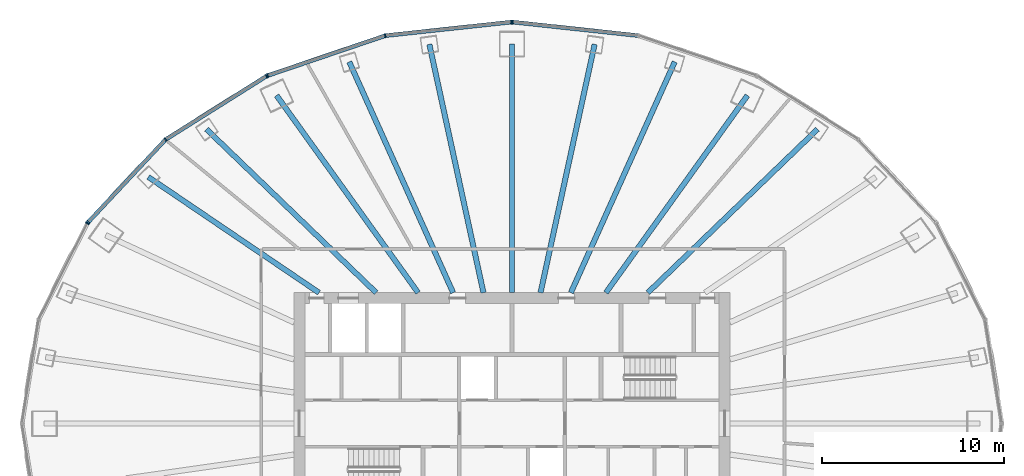
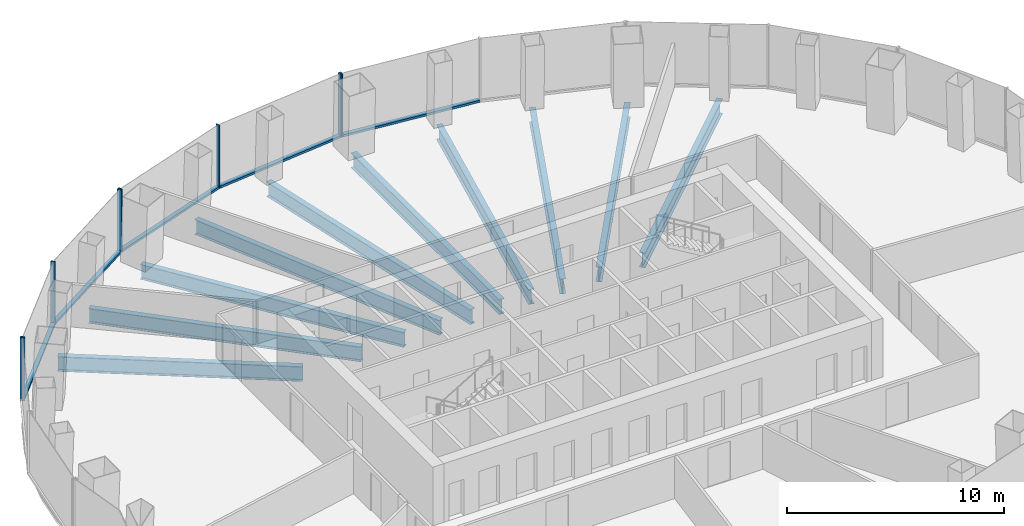
# One storey, part 5 of 11: 13 members, 10 beams, 4 elements without a shape of their own.
"""IFC4 building model written with IfcOpenShell, lengths in metres."""

from ifc_helpers import new_model, si_unit, direction, frame, origin, origin_2d, place, context, subcontext, project, spatial, rectangle, i_section, extrude, material, layer, layer_set, material_profile, profile_set, type_object, element, aggregate, save


model = new_model("IFC4")

# Units and contexts
model_context = context("Model", 3, precision=1e-05, world=origin(), true_north=direction((0.0, 1.0)))
body_context = subcontext(model_context, "Body", "Model", "MODEL_VIEW")
ifc_project = project(units=[si_unit("LENGTHUNIT", "METRE"), si_unit("AREAUNIT", "SQUARE_METRE"), si_unit("VOLUMEUNIT", "CUBIC_METRE"), si_unit("PLANEANGLEUNIT", "RADIAN"), si_unit("MASSUNIT", "GRAM", prefix="KILO")], contexts=[model_context])

# Site, building, storey
site_placement = place(None, origin())
site = spatial("IfcSite", under=ifc_project, at=site_placement, CompositionType="ELEMENT")
building_placement = place(site_placement, origin())
building = spatial("IfcBuilding", under=site, at=building_placement, Name="Siaravel Broadcast Tower", CompositionType="ELEMENT")
storey_placement = place(building_placement, frame((0.0, 0.0, 77.800048828125)))
storey = spatial("IfcBuildingStorey", under=building, at=storey_placement, Name="L18", CompositionType="ELEMENT", Elevation=77.800048828125)

# Beams
ifc_material_1 = material(Name="Steel S355", Category="steel")
ifc_material_profile_1 = material_profile(ifc_material_1, i_section(OverallWidth=0.291748046875, OverallDepth=0.8349609375, WebThickness=0.013916015625, FlangeThickness=0.018798828125, FilletRadius=0.017822265625, at=origin_2d()))
ifc_profile_set_1 = profile_set([ifc_material_profile_1], Name="Steel S355")
beam_type = type_object("IfcBeamType", Name="BM-UB 838x292x176", PredefinedType="BEAM", material=ifc_profile_set_1)
beam_1_placement = place(storey_placement, frame((16.805419921875, 16.188232421875, -0.567626953125), z_axis=(-0.720202337, -0.693764076, 0.0), x_axis=(0.693764076, -0.720202337, 0.0)))
element("IfcBeam", 1, at=beam_1_placement, inside=storey, type_object=beam_type, Name="Radial beam RB06", PredefinedType="BEAM", context=body_context, shape_type="SweptSolid", body=[
    extrude(i_section(OverallWidth=0.291748046875, OverallDepth=0.8349609375, WebThickness=0.013916015625, FlangeThickness=0.018798828125, FilletRadius=0.017822265625, at=origin_2d()), origin(), (0.0, 0.0, 1.0), 12.955810546875),
])
beam_2_placement = place(storey_placement, frame((12.95458984375, 18.052001953125, -0.567626953125), z_axis=(-0.583028018, -0.812452048, 0.0), x_axis=(0.812452048, -0.583028018, 0.0)))
element("IfcBeam", 2, at=beam_2_placement, inside=storey, type_object=beam_type, Name="Radial beam RB07", PredefinedType="BEAM", context=body_context, shape_type="SweptSolid", body=[
    extrude(i_section(OverallWidth=0.291748046875, OverallDepth=0.8349609375, WebThickness=0.013916015625, FlangeThickness=0.018798828125, FilletRadius=0.017822265625, at=origin_2d()), origin(), (0.0, 0.0, 1.0), 13.357177734375),
])
beam_3_placement = place(storey_placement, frame((8.95458984375, 19.89990234375, -0.567626953125), z_axis=(-0.41034208, -0.911931673, 0.0), x_axis=(0.911931673, -0.41034208, 0.0)))
element("IfcBeam", 3, at=beam_3_placement, inside=storey, type_object=beam_type, Name="Radial beam RB08", PredefinedType="BEAM", context=body_context, shape_type="SweptSolid", body=[
    extrude(i_section(OverallWidth=0.291748046875, OverallDepth=0.8349609375, WebThickness=0.013916015625, FlangeThickness=0.018798828125, FilletRadius=0.017822265625, at=origin_2d()), origin(), (0.0, 0.0, 1.0), 13.926513671875),
])
beam_4_placement = place(storey_placement, frame((4.548095703125, 20.866943359375, -0.567626953125), z_axis=(-0.212953511, -0.977062333, 0.0), x_axis=(0.977062333, -0.212953511, 0.0)))
element("IfcBeam", 4, at=beam_4_placement, inside=storey, type_object=beam_type, Name="Radial beam RB09", PredefinedType="BEAM", context=body_context, shape_type="SweptSolid", body=[
    extrude(i_section(OverallWidth=0.291748046875, OverallDepth=0.8349609375, WebThickness=0.013916015625, FlangeThickness=0.018798828125, FilletRadius=0.017822265625, at=origin_2d()), origin(), (0.0, 0.0, 1.0), 13.98779296875),
])
beam_5_placement = place(storey_placement, frame((0.0, 20.892822265625, -0.567626953125), z_axis=(0.0, -1.0, 0.0), x_axis=(1.0, 0.0, 0.0)))
element("IfcBeam", 5, at=beam_5_placement, inside=storey, type_object=beam_type, Name="Radial beam RB10", PredefinedType="BEAM", context=body_context, shape_type="SweptSolid", body=[
    extrude(i_section(OverallWidth=0.291748046875, OverallDepth=0.8349609375, WebThickness=0.013916015625, FlangeThickness=0.018798828125, FilletRadius=0.017822265625, at=origin_2d()), origin(), (0.0, 0.0, 1.0), 13.69287109375),
])
beam_6_placement = place(storey_placement, frame((-4.548095703125, 20.866943359375, -0.567626953125), z_axis=(0.212953511, -0.977062333, 0.0), x_axis=(0.977062333, 0.212953511, 0.0)))
element("IfcBeam", 6, at=beam_6_placement, inside=storey, type_object=beam_type, Name="Radial beam RB11", PredefinedType="BEAM", context=body_context, shape_type="SweptSolid", body=[
    extrude(i_section(OverallWidth=0.291748046875, OverallDepth=0.8349609375, WebThickness=0.013916015625, FlangeThickness=0.018798828125, FilletRadius=0.017822265625, at=origin_2d()), origin(), (0.0, 0.0, 1.0), 13.98779296875),
])
beam_7_placement = place(storey_placement, frame((-8.95458984375, 19.89990234375, -0.567626953125), z_axis=(0.41034208, -0.911931673, 0.0), x_axis=(0.911931673, 0.41034208, 0.0)))
element("IfcBeam", 7, at=beam_7_placement, inside=storey, type_object=beam_type, Name="Radial beam RB12", PredefinedType="BEAM", context=body_context, shape_type="SweptSolid", body=[
    extrude(i_section(OverallWidth=0.291748046875, OverallDepth=0.8349609375, WebThickness=0.013916015625, FlangeThickness=0.018798828125, FilletRadius=0.017822265625, at=origin_2d()), origin(), (0.0, 0.0, 1.0), 13.926513671875),
])
beam_8_placement = place(storey_placement, frame((-12.95458984375, 18.052001953125, -0.567626953125), z_axis=(0.583028018, -0.812452048, 0.0), x_axis=(0.812452048, 0.583028018, 0.0)))
element("IfcBeam", 8, at=beam_8_placement, inside=storey, type_object=beam_type, Name="Radial beam RB13", PredefinedType="BEAM", context=body_context, shape_type="SweptSolid", body=[
    extrude(i_section(OverallWidth=0.291748046875, OverallDepth=0.8349609375, WebThickness=0.013916015625, FlangeThickness=0.018798828125, FilletRadius=0.017822265625, at=origin_2d()), origin(), (0.0, 0.0, 1.0), 13.357177734375),
])
beam_9_placement = place(storey_placement, frame((-16.805419921875, 16.188232421875, -0.567626953125), z_axis=(0.720202337, -0.693764076, 0.0), x_axis=(0.693764076, 0.720202337, 0.0)))
element("IfcBeam", 9, at=beam_9_placement, inside=storey, type_object=beam_type, Name="Radial beam RB14", PredefinedType="BEAM", context=body_context, shape_type="SweptSolid", body=[
    extrude(i_section(OverallWidth=0.291748046875, OverallDepth=0.8349609375, WebThickness=0.013916015625, FlangeThickness=0.018798828125, FilletRadius=0.017822265625, at=origin_2d()), origin(), (0.0, 0.0, 1.0), 12.955810546875),
])
beam_10_placement = place(storey_placement, frame((-20.009033203125, 13.564208984375, -0.567626953125), z_axis=(0.827726799, -0.561131309, 0.0), x_axis=(0.561131309, 0.827726799, 0.0)))
element("IfcBeam", 10, at=beam_10_placement, inside=storey, type_object=beam_type, Name="Radial beam RB15", PredefinedType="BEAM", context=body_context, shape_type="SweptSolid", body=[
    extrude(i_section(OverallWidth=0.291748046875, OverallDepth=0.8349609375, WebThickness=0.013916015625, FlangeThickness=0.018798828125, FilletRadius=0.017822265625, at=origin_2d()), origin(), (0.0, 0.0, 1.0), 11.341796875),
])

# Curtain wall, member
ifc_material_2 = material(Name="Aluminium 6063-T6", Category="aluminium")
ifc_layer = layer(ifc_material_2, 0.219970703125)
ifc_layer_set = layer_set([ifc_layer], Name="Aluminium 6063-T6")
curtain_wall_type = type_object("IfcCurtainWallType", Name="Unitised curtain wall, zone 1", PredefinedType="NOTDEFINED", material=ifc_layer_set)
curtain_wall_1_placement = place(storey_placement, origin())
curtain_wall_1 = element("IfcCurtainWall", 11, at=curtain_wall_1_placement, inside=storey, type_object=curtain_wall_type, Name="L18 Unitised curtain wall, zone 1 03", PredefinedType="NOTDEFINED")
ifc_material_profile_2 = material_profile(ifc_material_2, rectangle(XDim=0.219970703125, YDim=0.070068359375, at=origin_2d()))
ifc_profile_set_2 = profile_set([ifc_material_profile_2], Name="Aluminium 6063-T6")
member_type_1 = type_object("IfcMemberType", Name="CW-Z1 mullion", PredefinedType="MULLION", material=ifc_profile_set_2)
member_1_placement = place(storey_placement, frame((0.034912109375, 22.091552734375, 0.0), z_axis=(0.0, 0.0, 1.0), x_axis=(-0.107217679, -0.99423557, 0.0)))
member_1 = element("IfcMember", 12, at=member_1_placement, type_object=member_type_1, Name="CW-Z1 mullion 3", PredefinedType="MULLION", context=body_context, shape_type="SweptSolid", body=[
    extrude(rectangle(XDim=0.219970703125, YDim=0.070068359375, at=origin_2d()), origin(), (0.0, 0.0, 1.0), 3.550048828125),
])

# Curtain wall, members
curtain_wall_2_placement = place(storey_placement, origin())
curtain_wall_2 = element("IfcCurtainWall", 13, at=curtain_wall_2_placement, inside=storey, type_object=curtain_wall_type, Name="L18 Unitised curtain wall, zone 1 04", PredefinedType="NOTDEFINED")
member_2_placement = place(storey_placement, frame((-0.034912109375, 22.091552734375, 0.0), z_axis=(0.0, 0.0, 1.0), x_axis=(0.107217679, -0.99423557, 0.0)))
member_2 = element("IfcMember", 14, at=member_2_placement, type_object=member_type_1, Name="CW-Z1 mullion 1", PredefinedType="MULLION", context=body_context, shape_type="SweptSolid", body=[
    extrude(rectangle(XDim=0.219970703125, YDim=0.070068359375, at=origin_2d()), origin(), (0.0, 0.0, 1.0), 3.550048828125),
])
member_3_placement = place(storey_placement, frame((-6.9765625, 21.343017578125, 0.0), z_axis=(0.0, 0.0, 1.0), x_axis=(0.21555841, -0.976490948, 0.0)))
member_3 = element("IfcMember", 15, at=member_3_placement, type_object=member_type_1, Name="CW-Z1 mullion 2", PredefinedType="MULLION", context=body_context, shape_type="SweptSolid", body=[
    extrude(rectangle(XDim=0.219970703125, YDim=0.070068359375, at=origin_2d()), origin(), (0.0, 0.0, 1.0), 3.550048828125),
])
member_4_placement = place(storey_placement, frame((-13.445068359375, 19.148193359375, 0.0), z_axis=(0.0, 0.0, 1.0), x_axis=(0.321301105, -0.946977085, 0.0)))
member_4 = element("IfcMember", 16, at=member_4_placement, type_object=member_type_1, Name="CW-Z1 mullion 3", PredefinedType="MULLION", context=body_context, shape_type="SweptSolid", body=[
    extrude(rectangle(XDim=0.219970703125, YDim=0.070068359375, at=origin_2d()), origin(), (0.0, 0.0, 1.0), 3.550048828125),
])

curtain_wall_3_placement = place(storey_placement, origin())
curtain_wall_3 = element("IfcCurtainWall", 17, at=curtain_wall_3_placement, inside=storey, type_object=curtain_wall_type, Name="L18 Unitised curtain wall, zone 1 05", PredefinedType="NOTDEFINED")
member_5_placement = place(storey_placement, frame((-13.5078125, 19.118408203125, 0.0), z_axis=(0.0, 0.0, 1.0), x_axis=(0.532149761, -0.846650242, 0.0)))
member_5 = element("IfcMember", 18, at=member_5_placement, type_object=member_type_1, Name="CW-Z1 mullion 1", PredefinedType="MULLION", context=body_context, shape_type="SweptSolid", body=[
    extrude(rectangle(XDim=0.219970703125, YDim=0.070068359375, at=origin_2d()), origin(), (0.0, 0.0, 1.0), 3.550048828125),
])
member_6_placement = place(storey_placement, frame((-19.0625, 15.627197265625, 0.0), z_axis=(0.0, 0.0, 1.0), x_axis=(0.63621907, -0.771508454, 0.0)))
member_6 = element("IfcMember", 19, at=member_6_placement, type_object=member_type_1, Name="CW-Z1 mullion 2", PredefinedType="MULLION", context=body_context, shape_type="SweptSolid", body=[
    extrude(rectangle(XDim=0.219970703125, YDim=0.070068359375, at=origin_2d()), origin(), (0.0, 0.0, 1.0), 3.550048828125),
])
member_7_placement = place(storey_placement, frame((-23.32470703125, 11.076904296875, 0.0), z_axis=(0.0, 0.0, 1.0), x_axis=(0.729805583, -0.683654746, 0.0)))
member_7 = element("IfcMember", 20, at=member_7_placement, type_object=member_type_1, Name="CW-Z1 mullion 3", PredefinedType="MULLION", context=body_context, shape_type="SweptSolid", body=[
    extrude(rectangle(XDim=0.219970703125, YDim=0.070068359375, at=origin_2d()), origin(), (0.0, 0.0, 1.0), 3.550048828125),
])

# Curtain wall, member
curtain_wall_4_placement = place(storey_placement, origin())
curtain_wall_4 = element("IfcCurtainWall", 21, at=curtain_wall_4_placement, inside=storey, type_object=curtain_wall_type, Name="L18 Unitised curtain wall, zone 1 06", PredefinedType="NOTDEFINED")
member_8_placement = place(storey_placement, frame((-23.364501953125, 11.020263671875, 0.0), z_axis=(0.0, 0.0, 1.0), x_axis=(0.892392184, -0.451260668, 0.0)))
member_8 = element("IfcMember", 22, at=member_8_placement, type_object=member_type_1, Name="CW-Z1 mullion 1", PredefinedType="MULLION", context=body_context, shape_type="SweptSolid", body=[
    extrude(rectangle(XDim=0.219970703125, YDim=0.070068359375, at=origin_2d()), origin(), (0.0, 0.0, 1.0), 3.550048828125),
])
aggregate(curtain_wall_4, [member_8])

# Member
ifc_material_profile_3 = material_profile(ifc_material_2, rectangle(XDim=0.219970703125, YDim=0.1201171875, at=origin_2d()))
ifc_profile_set_3 = profile_set([ifc_material_profile_3], Name="Aluminium 6063-T6")
member_type_2 = type_object("IfcMemberType", Name="CW-Z1 transom", PredefinedType="USERDEFINED", material=ifc_profile_set_3)
member_9_placement = place(storey_placement, frame((6.941650390625, 21.3466796875, 0.06005859375), z_axis=(-0.99423354, 0.107236501, 0.0), x_axis=(-0.107236501, -0.99423354, 0.0)))
member_9 = element("IfcMember", 23, at=member_9_placement, type_object=member_type_2, Name="CW-Z1 transom 2", ObjectType="TRANSOM", PredefinedType="USERDEFINED", context=body_context, shape_type="SweptSolid", body=[
    extrude(rectangle(XDim=0.219970703125, YDim=0.1201171875, at=origin_2d()), origin(), (0.0, 0.0, 1.0), 6.911865234375),
])

aggregate(curtain_wall_1, [member_1, member_9])

member_10_placement = place(storey_placement, frame((-0.069580078125, 22.087890625, 0.06005859375), z_axis=(-0.99423354, -0.107236501, 0.0), x_axis=(0.107236501, -0.99423354, 0.0)))
member_10 = element("IfcMember", 24, at=member_10_placement, type_object=member_type_2, Name="CW-Z1 transom 1", ObjectType="TRANSOM", PredefinedType="USERDEFINED", context=body_context, shape_type="SweptSolid", body=[
    extrude(rectangle(XDim=0.219970703125, YDim=0.1201171875, at=origin_2d()), origin(), (0.0, 0.0, 1.0), 6.911865234375),
])

member_11_placement = place(storey_placement, frame((-7.009521484375, 21.331787109375, 0.06005859375), z_axis=(-0.946972422, -0.321314849, 0.0), x_axis=(0.321314849, -0.946972422, 0.0)))
member_11 = element("IfcMember", 25, at=member_11_placement, type_object=member_type_2, Name="CW-Z1 transom 2", ObjectType="TRANSOM", PredefinedType="USERDEFINED", context=body_context, shape_type="SweptSolid", body=[
    extrude(rectangle(XDim=0.219970703125, YDim=0.1201171875, at=origin_2d()), origin(), (0.0, 0.0, 1.0), 6.7607421875),
])

aggregate(curtain_wall_2, [member_2, member_3, member_4, member_10, member_11])

member_12_placement = place(storey_placement, frame((-13.537353515625, 19.099609375, 0.06005859375), z_axis=(-0.846662211, -0.532130717, 0.0), x_axis=(0.532130717, -0.846662211, 0.0)))
member_12 = element("IfcMember", 26, at=member_12_placement, type_object=member_type_2, Name="CW-Z1 transom 1", ObjectType="TRANSOM", PredefinedType="USERDEFINED", context=body_context, shape_type="SweptSolid", body=[
    extrude(rectangle(XDim=0.219970703125, YDim=0.1201171875, at=origin_2d()), origin(), (0.0, 0.0, 1.0), 6.49072265625),
])

member_13_placement = place(storey_placement, frame((-19.08642578125, 15.6015625, 0.06005859375), z_axis=(-0.683640708, -0.729818733, 0.0), x_axis=(0.729818733, -0.683640708, 0.0)))
member_13 = element("IfcMember", 27, at=member_13_placement, type_object=member_type_2, Name="CW-Z1 transom 2", ObjectType="TRANSOM", PredefinedType="USERDEFINED", context=body_context, shape_type="SweptSolid", body=[
    extrude(rectangle(XDim=0.219970703125, YDim=0.1201171875, at=origin_2d()), origin(), (0.0, 0.0, 1.0), 6.16455078125),
])

aggregate(curtain_wall_3, [member_5, member_6, member_7, member_12, member_13])

save(model, "model.ifc")
